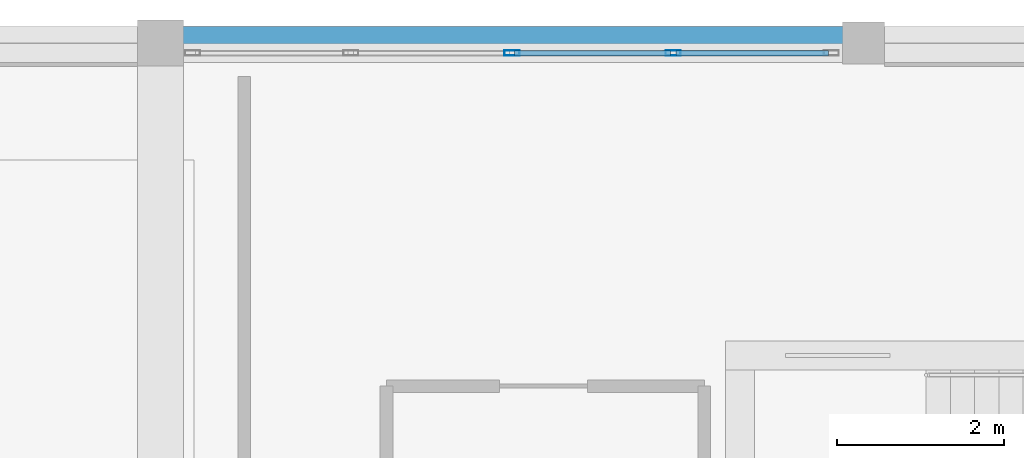
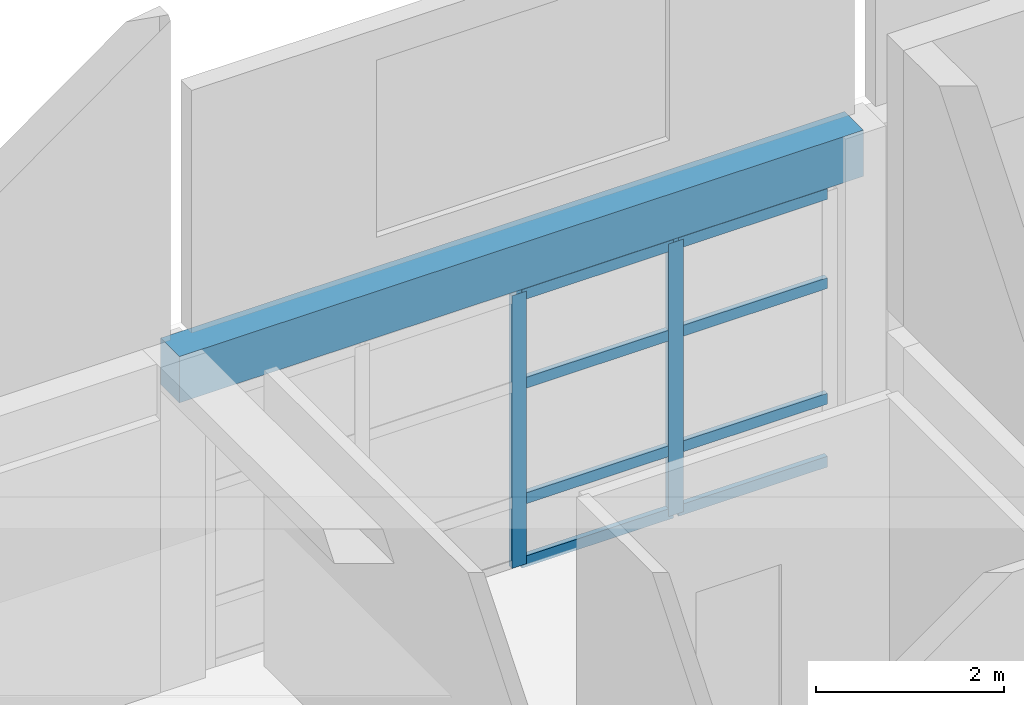
# One storey, part 11 of 17: 10 members, 1 beam, 1 element without a shape of its own.
"""IFC4 building model written with IfcOpenShell, lengths in metres."""

from ifc_helpers import new_model, si_unit, direction, frame, origin, origin_2d, place, context, subcontext, project, spatial, rectangle, hollow_rectangle, extrude, material, material_profile, profile_set, type_object, element, aggregate, save


model = new_model("IFC4")

# Units and contexts
model_context = context("Model", 3, precision=1e-05, world=origin(), true_north=direction((0.0, 1.0)))
body_context = subcontext(model_context, "Body", "Model", "MODEL_VIEW")
ifc_project = project(units=[si_unit("LENGTHUNIT", "METRE"), si_unit("AREAUNIT", "SQUARE_METRE"), si_unit("VOLUMEUNIT", "CUBIC_METRE"), si_unit("PLANEANGLEUNIT", "RADIAN"), si_unit("MASSUNIT", "GRAM", prefix="KILO")], contexts=[model_context])

# Site, building, storey
site_placement = place(None, origin())
site = spatial("IfcSite", under=ifc_project, at=site_placement, CompositionType="ELEMENT")
building_placement = place(site_placement, origin())
building = spatial("IfcBuilding", under=site, at=building_placement, Name="Almacenes y Pasaje Nevantli", CompositionType="ELEMENT")
storey_placement = place(building_placement, frame((0.0, 0.0, 66.699951171875)))
storey = spatial("IfcBuildingStorey", under=building, at=storey_placement, Name="L16", CompositionType="ELEMENT", Elevation=66.699951171875)

# Beam
ifc_material_1 = material(Name="Concrete C35/45", Category="concrete")
ifc_material_profile_1 = material_profile(ifc_material_1, rectangle(XDim=0.39990234375, YDim=0.60009765625, at=origin_2d()), Name="RC-BM-400x600")
ifc_profile_set_1 = profile_set([ifc_material_profile_1], Name="Concrete C35/45")
beam_type = type_object("IfcBeamType", Name="BM-RC-400x600", PredefinedType="SPANDREL", material=ifc_profile_set_1)
beam_placement = place(storey_placement, frame((126.0, 92.39990234375, 3.920166015625), z_axis=(1.0, 0.0, 0.0), x_axis=(0.0, 1.0, 0.0)))
element("IfcBeam", 1, at=beam_placement, inside=storey, type_object=beam_type, Name="L16 East-West Reinforced Concrete Beam #4053", PredefinedType="SPANDREL", context=body_context, shape_type="SweptSolid", body=[
    extrude(rectangle(XDim=0.39990234375, YDim=0.60009765625, at=origin_2d()), origin(), (0.0, 0.0, 1.0), 8.39990234375),
])

# Curtain wall, members
ifc_material_2 = material(Name="Thermally Broken Aluminium and Low-E Glass", Category="aluminium")
curtain_wall_type = type_object("IfcCurtainWallType", Name="CW-UNIT-TOWER", PredefinedType="USERDEFINED", material=ifc_material_2)
curtain_wall_placement = place(storey_placement, origin())
curtain_wall = element("IfcCurtainWall", 2, at=curtain_wall_placement, inside=storey, type_object=curtain_wall_type, Name="L16 Tower North Boulevard Unitized Curtain Wall Bay 16", ObjectType="UNITIZED CURTAIN WALL", PredefinedType="USERDEFINED")
ifc_material_3 = material(Name="Thermally Broken Anodized Aluminium", Category="aluminium")
ifc_material_profile_2 = material_profile(ifc_material_3, hollow_rectangle(XDim=0.06494140625, YDim=0.179931640625, WallThickness=0.00390625, at=origin_2d()), Name="ALU-MUL-65x180")
ifc_profile_set_2 = profile_set([ifc_material_profile_2], Name="Thermally Broken Anodized Aluminium")
member_type_1 = type_object("IfcMemberType", Name="CW-MUL-200", PredefinedType="MULLION", material=ifc_profile_set_2)
member_1_placement = place(storey_placement, frame((130.199951171875, 92.280029296875, 0.0), z_axis=(0.0, 0.0, 1.0), x_axis=(0.0, 1.0, 0.0)))
member_1 = element("IfcMember", 3, at=member_1_placement, type_object=member_type_1, Name="CW-L16-192 mullion 3", PredefinedType="MULLION", context=body_context, shape_type="SweptSolid", body=[
    extrude(hollow_rectangle(XDim=0.06494140625, YDim=0.179931640625, WallThickness=0.00390625, at=origin_2d()), origin(), (0.0, 0.0, 1.0), 3.5400390625),
])
member_2_placement = place(storey_placement, frame((132.125, 92.280029296875, 0.0), z_axis=(0.0, 0.0, 1.0), x_axis=(0.0, 1.0, 0.0)))
member_2 = element("IfcMember", 4, at=member_2_placement, type_object=member_type_1, Name="CW-L16-192 mullion 4", PredefinedType="MULLION", context=body_context, shape_type="SweptSolid", body=[
    extrude(hollow_rectangle(XDim=0.06494140625, YDim=0.179931640625, WallThickness=0.00390625, at=origin_2d()), origin(), (0.0, 0.0, 1.0), 3.5400390625),
])
ifc_material_4 = material(Name="Thermally Broken Anodized Aluminium", Category="aluminium")
ifc_material_profile_3 = material_profile(ifc_material_4, hollow_rectangle(XDim=0.06494140625, YDim=0.139892578125, WallThickness=0.00390625, at=origin_2d()), Name="ALU-TRN-65x140")
ifc_profile_set_3 = profile_set([ifc_material_profile_3], Name="Thermally Broken Anodized Aluminium")
member_type_2 = type_object("IfcMemberType", Name="CW-TRN-150", PredefinedType="USERDEFINED", material=ifc_profile_set_3)
member_3_placement = place(storey_placement, frame((130.232421875, 92.280029296875, 0.032470703125), z_axis=(1.0, 0.0, 0.0), x_axis=(0.0, 1.0, 0.0)))
member_3 = element("IfcMember", 5, at=member_3_placement, type_object=member_type_2, Name="CW-L16-192 transom 3.1", ObjectType="TRANSOM", PredefinedType="USERDEFINED", context=body_context, shape_type="SweptSolid", body=[
    extrude(hollow_rectangle(XDim=0.06494140625, YDim=0.139892578125, WallThickness=0.00390625, at=origin_2d()), origin(), (0.0, 0.0, 1.0), 1.860107421875),
])
member_4_placement = place(storey_placement, frame((130.232421875, 92.280029296875, 0.85009765625), z_axis=(1.0, 0.0, 0.0), x_axis=(0.0, 1.0, 0.0)))
member_4 = element("IfcMember", 6, at=member_4_placement, type_object=member_type_2, Name="CW-L16-192 transom 3.2", ObjectType="TRANSOM", PredefinedType="USERDEFINED", context=body_context, shape_type="SweptSolid", body=[
    extrude(hollow_rectangle(XDim=0.06494140625, YDim=0.139892578125, WallThickness=0.00390625, at=origin_2d()), origin(), (0.0, 0.0, 1.0), 1.860107421875),
])
member_5_placement = place(storey_placement, frame((130.232421875, 92.280029296875, 2.35009765625), z_axis=(1.0, 0.0, 0.0), x_axis=(0.0, 1.0, 0.0)))
member_5 = element("IfcMember", 7, at=member_5_placement, type_object=member_type_2, Name="CW-L16-192 transom 3.3", ObjectType="TRANSOM", PredefinedType="USERDEFINED", context=body_context, shape_type="SweptSolid", body=[
    extrude(hollow_rectangle(XDim=0.06494140625, YDim=0.139892578125, WallThickness=0.00390625, at=origin_2d()), origin(), (0.0, 0.0, 1.0), 1.860107421875),
])
member_6_placement = place(storey_placement, frame((130.232421875, 92.280029296875, 3.507568359375), z_axis=(1.0, 0.0, 0.0), x_axis=(0.0, 1.0, 0.0)))
member_6 = element("IfcMember", 8, at=member_6_placement, type_object=member_type_2, Name="CW-L16-192 transom 3.4", ObjectType="TRANSOM", PredefinedType="USERDEFINED", context=body_context, shape_type="SweptSolid", body=[
    extrude(hollow_rectangle(XDim=0.06494140625, YDim=0.139892578125, WallThickness=0.00390625, at=origin_2d()), origin(), (0.0, 0.0, 1.0), 1.860107421875),
])
member_7_placement = place(storey_placement, frame((132.157470703125, 92.280029296875, 0.032470703125), z_axis=(1.0, 0.0, 0.0), x_axis=(0.0, 1.0, 0.0)))
member_7 = element("IfcMember", 9, at=member_7_placement, type_object=member_type_2, Name="CW-L16-192 transom 4.1", ObjectType="TRANSOM", PredefinedType="USERDEFINED", context=body_context, shape_type="SweptSolid", body=[
    extrude(hollow_rectangle(XDim=0.06494140625, YDim=0.139892578125, WallThickness=0.00390625, at=origin_2d()), origin(), (0.0, 0.0, 1.0), 1.82763671875),
])
member_8_placement = place(storey_placement, frame((132.157470703125, 92.280029296875, 0.85009765625), z_axis=(1.0, 0.0, 0.0), x_axis=(0.0, 1.0, 0.0)))
member_8 = element("IfcMember", 10, at=member_8_placement, type_object=member_type_2, Name="CW-L16-192 transom 4.2", ObjectType="TRANSOM", PredefinedType="USERDEFINED", context=body_context, shape_type="SweptSolid", body=[
    extrude(hollow_rectangle(XDim=0.06494140625, YDim=0.139892578125, WallThickness=0.00390625, at=origin_2d()), origin(), (0.0, 0.0, 1.0), 1.82763671875),
])
member_9_placement = place(storey_placement, frame((132.157470703125, 92.280029296875, 2.35009765625), z_axis=(1.0, 0.0, 0.0), x_axis=(0.0, 1.0, 0.0)))
member_9 = element("IfcMember", 11, at=member_9_placement, type_object=member_type_2, Name="CW-L16-192 transom 4.3", ObjectType="TRANSOM", PredefinedType="USERDEFINED", context=body_context, shape_type="SweptSolid", body=[
    extrude(hollow_rectangle(XDim=0.06494140625, YDim=0.139892578125, WallThickness=0.00390625, at=origin_2d()), origin(), (0.0, 0.0, 1.0), 1.82763671875),
])
member_10_placement = place(storey_placement, frame((132.157470703125, 92.280029296875, 3.507568359375), z_axis=(1.0, 0.0, 0.0), x_axis=(0.0, 1.0, 0.0)))
member_10 = element("IfcMember", 12, at=member_10_placement, type_object=member_type_2, Name="CW-L16-192 transom 4.4", ObjectType="TRANSOM", PredefinedType="USERDEFINED", context=body_context, shape_type="SweptSolid", body=[
    extrude(hollow_rectangle(XDim=0.06494140625, YDim=0.139892578125, WallThickness=0.00390625, at=origin_2d()), origin(), (0.0, 0.0, 1.0), 1.82763671875),
])
aggregate(curtain_wall, [member_1, member_2, member_3, member_4, member_5, member_6, member_7, member_8, member_9, member_10])

save(model, "model.ifc")
